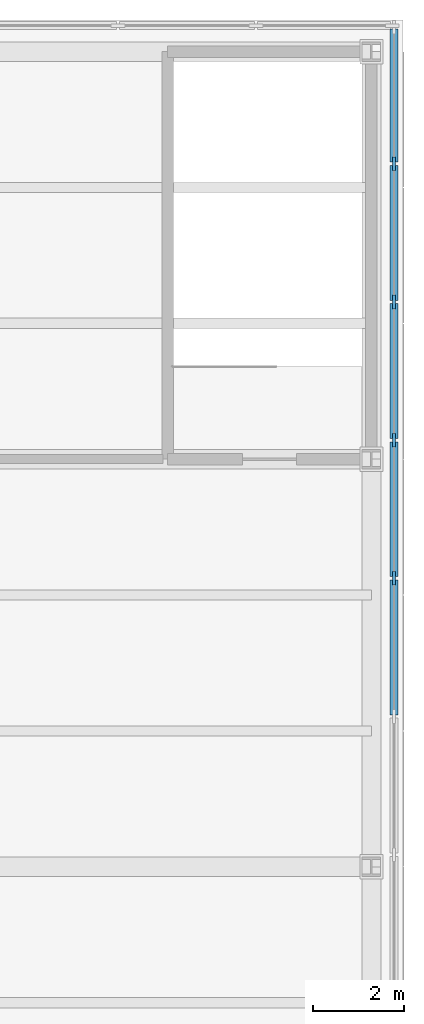
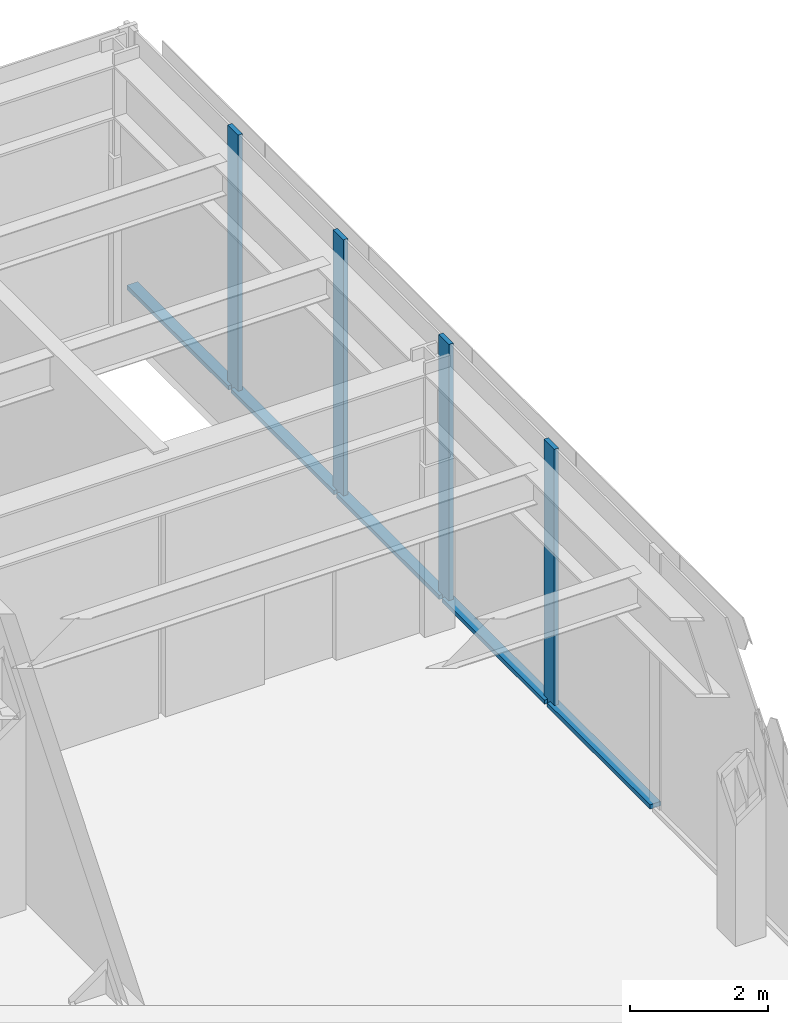
# One storey, part 9 of 24: 9 members, 1 element without a shape of its own.
"""IFC4 building model written with IfcOpenShell, lengths in metres."""

from ifc_helpers import new_model, si_unit, direction, frame, origin, origin_2d, place, context, subcontext, project, spatial, rectangle, extrude, material, layer, layer_set, material_profile, profile_set, type_object, element, aggregate, save


model = new_model("IFC4")

# Units and contexts
model_context = context("Model", 3, precision=1e-05, world=origin(), true_north=direction((0.0, 1.0)))
body_context = subcontext(model_context, "Body", "Model", "MODEL_VIEW")
ifc_project = project(units=[si_unit("LENGTHUNIT", "METRE"), si_unit("AREAUNIT", "SQUARE_METRE"), si_unit("VOLUMEUNIT", "CUBIC_METRE"), si_unit("PLANEANGLEUNIT", "RADIAN"), si_unit("MASSUNIT", "GRAM", prefix="KILO")], contexts=[model_context])

# Site, building, storey
site_placement = place(None, origin())
site = spatial("IfcSite", under=ifc_project, at=site_placement, CompositionType="ELEMENT")
building_placement = place(site_placement, origin())
building = spatial("IfcBuilding", under=site, at=building_placement, Name="Chuquiago Exchange Tower", CompositionType="ELEMENT")
storey_placement = place(building_placement, frame((0.0, 0.0, 19.5)))
storey = spatial("IfcBuildingStorey", under=building, at=storey_placement, Name="L03", CompositionType="ELEMENT", Elevation=19.5)

# Curtain wall, members
ifc_material_1 = material(Name="Aluminium curtain wall system", Category="aluminium")
ifc_layer = layer(ifc_material_1, 0.300048828125)
ifc_layer_set = layer_set([ifc_layer], Name="CW4 podium curtain wall")
curtain_wall_type = type_object("IfcCurtainWallType", Name="CW4 podium curtain wall", PredefinedType="NOTDEFINED", material=ifc_layer_set)
curtain_wall_placement = place(storey_placement, origin())
curtain_wall = element("IfcCurtainWall", 1, at=curtain_wall_placement, inside=storey, type_object=curtain_wall_type, Name="CW4 curtain wall L03", PredefinedType="NOTDEFINED")
ifc_material_2 = material(Name="Aluminium mullion, pale anodised", Category="aluminium")
ifc_material_profile_1 = material_profile(ifc_material_2, rectangle(XDim=0.074951171875, YDim=0.300048828125, at=origin_2d()), Name="AL 75x300")
ifc_profile_set_1 = profile_set([ifc_material_profile_1], Name="Aluminium mullion, pale anodised")
member_type_1 = type_object("IfcMemberType", Name="CW4-M mullion 75x300", PredefinedType="MULLION", material=ifc_profile_set_1)
member_1_placement = place(storey_placement, frame((54.5, 33.3701171875, 0.0), z_axis=(0.0, 0.0, 1.0), x_axis=(-1.0, 0.0, 0.0)))
member_1 = element("IfcMember", 2, at=member_1_placement, type_object=member_type_1, Name="CW4 mullion 18", PredefinedType="MULLION", context=body_context, shape_type="SweptSolid", body=[
    extrude(rectangle(XDim=0.074951171875, YDim=0.300048828125, at=origin_2d()), origin(), (0.0, 0.0, 1.0), 4.60009765625),
])
member_2_placement = place(storey_placement, frame((54.5, 36.42138671875, 0.0), z_axis=(0.0, 0.0, 1.0), x_axis=(-1.0, 0.0, 0.0)))
member_2 = element("IfcMember", 3, at=member_2_placement, type_object=member_type_1, Name="CW4 mullion 19", PredefinedType="MULLION", context=body_context, shape_type="SweptSolid", body=[
    extrude(rectangle(XDim=0.074951171875, YDim=0.300048828125, at=origin_2d()), origin(), (0.0, 0.0, 1.0), 4.60009765625),
])
member_3_placement = place(storey_placement, frame((54.5, 39.47265625, 0.0), z_axis=(0.0, 0.0, 1.0), x_axis=(-1.0, 0.0, 0.0)))
member_3 = element("IfcMember", 4, at=member_3_placement, type_object=member_type_1, Name="CW4 mullion 20", PredefinedType="MULLION", context=body_context, shape_type="SweptSolid", body=[
    extrude(rectangle(XDim=0.074951171875, YDim=0.300048828125, at=origin_2d()), origin(), (0.0, 0.0, 1.0), 4.60009765625),
])
member_4_placement = place(storey_placement, frame((54.5, 42.52392578125, 0.0), z_axis=(0.0, 0.0, 1.0), x_axis=(-1.0, 0.0, 0.0)))
member_4 = element("IfcMember", 5, at=member_4_placement, type_object=member_type_1, Name="CW4 mullion 21", PredefinedType="MULLION", context=body_context, shape_type="SweptSolid", body=[
    extrude(rectangle(XDim=0.074951171875, YDim=0.300048828125, at=origin_2d()), origin(), (0.0, 0.0, 1.0), 4.60009765625),
])
ifc_material_3 = material(Name="Aluminium transom, pale anodised", Category="aluminium")
ifc_material_profile_2 = material_profile(ifc_material_3, rectangle(XDim=0.179931640625, YDim=0.074951171875, at=origin_2d()), Name="AL 180x75")
ifc_profile_set_2 = profile_set([ifc_material_profile_2], Name="Aluminium transom, pale anodised")
member_type_2 = type_object("IfcMemberType", Name="CW4-T transom 75x180", PredefinedType="MULLION", material=ifc_profile_set_2)
member_5_placement = place(storey_placement, frame((54.5, 30.3564453125, 0.03759765625), z_axis=(0.0, 1.0, 0.0), x_axis=(-1.0, 0.0, 0.0)))
member_5 = element("IfcMember", 6, at=member_5_placement, type_object=member_type_2, Name="CW4 transom 17.1", PredefinedType="MULLION", context=body_context, shape_type="SweptSolid", body=[
    extrude(rectangle(XDim=0.179931640625, YDim=0.074951171875, at=origin_2d()), origin(), (0.0, 0.0, 1.0), 2.976318359375),
])
member_6_placement = place(storey_placement, frame((54.5, 33.40771484375, 0.03759765625), z_axis=(0.0, 1.0, 0.0), x_axis=(-1.0, 0.0, 0.0)))
member_6 = element("IfcMember", 7, at=member_6_placement, type_object=member_type_2, Name="CW4 transom 18.1", PredefinedType="MULLION", context=body_context, shape_type="SweptSolid", body=[
    extrude(rectangle(XDim=0.179931640625, YDim=0.074951171875, at=origin_2d()), origin(), (0.0, 0.0, 1.0), 2.976318359375),
])
member_7_placement = place(storey_placement, frame((54.5, 36.458984375, 0.03759765625), z_axis=(0.0, 1.0, 0.0), x_axis=(-1.0, 0.0, 0.0)))
member_7 = element("IfcMember", 8, at=member_7_placement, type_object=member_type_2, Name="CW4 transom 19.1", PredefinedType="MULLION", context=body_context, shape_type="SweptSolid", body=[
    extrude(rectangle(XDim=0.179931640625, YDim=0.074951171875, at=origin_2d()), origin(), (0.0, 0.0, 1.0), 2.97607421875),
])
member_8_placement = place(storey_placement, frame((54.5, 39.510009765625, 0.03759765625), z_axis=(0.0, 1.0, 0.0), x_axis=(-1.0, 0.0, 0.0)))
member_8 = element("IfcMember", 9, at=member_8_placement, type_object=member_type_2, Name="CW4 transom 20.1", PredefinedType="MULLION", context=body_context, shape_type="SweptSolid", body=[
    extrude(rectangle(XDim=0.179931640625, YDim=0.074951171875, at=origin_2d()), origin(), (0.0, 0.0, 1.0), 2.976318359375),
])
member_9_placement = place(storey_placement, frame((54.5, 42.561279296875, 0.03759765625), z_axis=(0.0, 1.0, 0.0), x_axis=(-1.0, 0.0, 0.0)))
member_9 = element("IfcMember", 10, at=member_9_placement, type_object=member_type_2, Name="CW4 transom 21.1", PredefinedType="MULLION", context=body_context, shape_type="SweptSolid", body=[
    extrude(rectangle(XDim=0.179931640625, YDim=0.074951171875, at=origin_2d()), origin(), (0.0, 0.0, 1.0), 2.938720703125),
])
aggregate(curtain_wall, [member_1, member_2, member_3, member_4, member_5, member_6, member_7, member_8, member_9])

save(model, "model.ifc")
